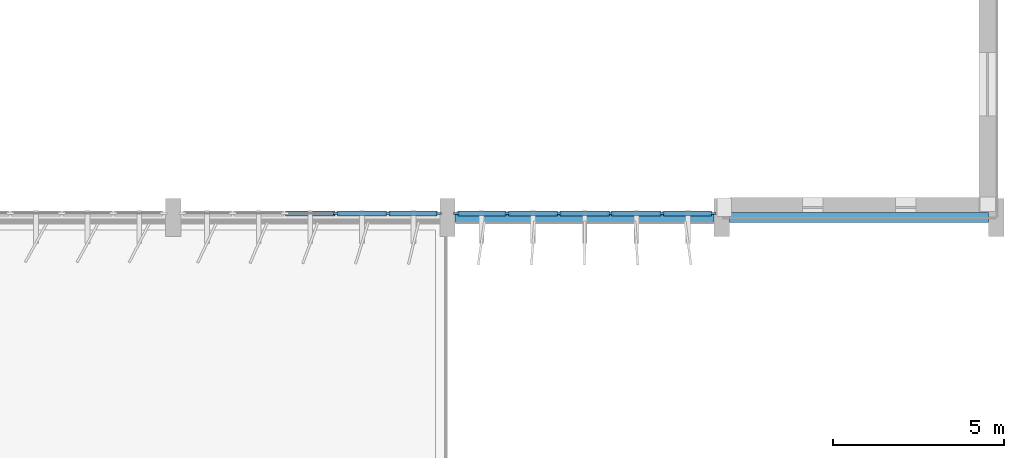
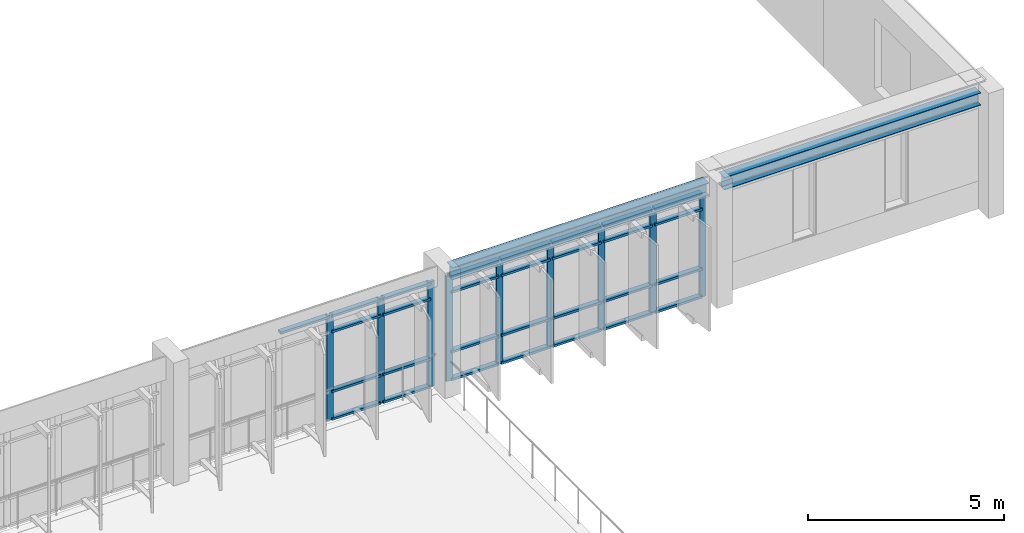
# One storey, part 19 of 45: 38 members, 2 beams, 2 elements without a shape of their own.
"""IFC4 building model written with IfcOpenShell, lengths in metres."""

from ifc_helpers import new_model, si_unit, direction, frame, origin, origin_2d, place, context, subcontext, project, spatial, rectangle, i_section, extrude, material, layer, layer_set, material_profile, profile_set, type_object, element, aggregate, save


model = new_model("IFC4")

# Units and contexts
model_context = context("Model", 3, precision=1e-05, world=origin(), true_north=direction((0.0, 1.0)))
body_context = subcontext(model_context, "Body", "Model", "MODEL_VIEW")
ifc_project = project(units=[si_unit("LENGTHUNIT", "METRE"), si_unit("AREAUNIT", "SQUARE_METRE"), si_unit("VOLUMEUNIT", "CUBIC_METRE"), si_unit("PLANEANGLEUNIT", "RADIAN"), si_unit("MASSUNIT", "GRAM", prefix="KILO")], contexts=[model_context])

# Site, building, storey
site_placement = place(None, origin())
site = spatial("IfcSite", under=ifc_project, at=site_placement, CompositionType="ELEMENT")
building_placement = place(site_placement, origin())
building = spatial("IfcBuilding", under=site, at=building_placement, Name="Valkorina Park Police Headquarters", CompositionType="ELEMENT")
storey_placement = place(building_placement, frame((0.0, 0.0, 23.300048828125)))
storey = spatial("IfcBuildingStorey", under=building, at=storey_placement, Name="L06", CompositionType="ELEMENT", Elevation=23.300048828125)

# Beams
ifc_material_1 = material(Name="Steel S355", Category="steel")
ifc_material_profile_1 = material_profile(ifc_material_1, i_section(OverallWidth=0.300048828125, OverallDepth=0.389892578125, WebThickness=0.010986328125, FlangeThickness=0.01904296875, FilletRadius=0.027099609375, at=origin_2d()), Name="HEA 400")
ifc_profile_set_1 = profile_set([ifc_material_profile_1], Name="Steel S355")
beam_type = type_object("IfcBeamType", Name="BM-S355-HEA400-SPN", PredefinedType="SPANDREL", material=ifc_profile_set_1)
for number, where, z_axis, x_axis, name in (
    (1, (113.02490234375, 59.199951171875, 3.48486328125), (1.0, 0.0, 0.0), (0.0, 1.0, 0.0), "L06 Framing Beam 2643"),
    (2, (121.02490234375, 59.199951171875, 3.48486328125), (1.0, 0.0, 0.0), (0.0, 1.0, 0.0), "L06 Framing Beam 2644"),
):
    element("IfcBeam", number, at=place(storey_placement, frame(where, z_axis=z_axis, x_axis=x_axis)), inside=storey, type_object=beam_type, Name=name, PredefinedType="SPANDREL", context=body_context, shape_type="SweptSolid", body=[
        extrude(i_section(OverallWidth=0.300048828125, OverallDepth=0.389892578125, WebThickness=0.010986328125, FlangeThickness=0.01904296875, FilletRadius=0.027099609375, at=origin_2d()), origin(), (0.0, 0.0, 1.0), 7.550048828125),
    ])

# Curtain wall, members
ifc_material_2 = material(Name="Thermally broken aluminium AW-6060", Category="aluminium")
ifc_layer = layer(ifc_material_2, 0.18994140625)
ifc_layer_set = layer_set([ifc_layer], Name="Thermally broken aluminium AW-6060")
curtain_wall_type = type_object("IfcCurtainWallType", Name="CW-V5-7530x3280", PredefinedType="NOTDEFINED", material=ifc_layer_set)
curtain_wall_1_placement = place(storey_placement, origin())
curtain_wall_1 = element("IfcCurtainWall", 3, at=curtain_wall_1_placement, inside=storey, type_object=curtain_wall_type, Name="L06 Unitised Curtain Wall 116", PredefinedType="NOTDEFINED")
ifc_material_profile_2 = material_profile(ifc_material_2, rectangle(XDim=0.070068359375, YDim=0.18994140625, at=origin_2d()), Name="CWM-02 70x190")
ifc_profile_set_2 = profile_set([ifc_material_profile_2], Name="Thermally broken aluminium AW-6060")
member_type_1 = type_object("IfcMemberType", Name="CWM-70x190", PredefinedType="MULLION", material=ifc_profile_set_2)
member_1_placement = place(storey_placement, frame((120.530029296875, 59.320068359375, 0.0), z_axis=(0.0, 0.0, 1.0), x_axis=(0.0, -1.0, 0.0)))
member_1 = element("IfcMember", 4, at=member_1_placement, type_object=member_type_1, Name="CW-V5-753-328 mullion 1", PredefinedType="MULLION", context=body_context, shape_type="SweptSolid", body=[
    extrude(rectangle(XDim=0.070068359375, YDim=0.18994140625, at=origin_2d()), origin(), (0.0, 0.0, 1.0), 3.280029296875),
])
member_2_placement = place(storey_placement, frame((119.05908203125, 59.320068359375, 0.0), z_axis=(0.0, 0.0, 1.0), x_axis=(0.0, -1.0, 0.0)))
member_2 = element("IfcMember", 5, at=member_2_placement, type_object=member_type_1, Name="CW-V5-753-328 mullion 2", PredefinedType="MULLION", context=body_context, shape_type="SweptSolid", body=[
    extrude(rectangle(XDim=0.070068359375, YDim=0.18994140625, at=origin_2d()), origin(), (0.0, 0.0, 1.0), 3.280029296875),
])
member_3_placement = place(storey_placement, frame((117.552978515625, 59.320068359375, 0.0), z_axis=(0.0, 0.0, 1.0), x_axis=(0.0, -1.0, 0.0)))
member_3 = element("IfcMember", 6, at=member_3_placement, type_object=member_type_1, Name="CW-V5-753-328 mullion 3", PredefinedType="MULLION", context=body_context, shape_type="SweptSolid", body=[
    extrude(rectangle(XDim=0.070068359375, YDim=0.18994140625, at=origin_2d()), origin(), (0.0, 0.0, 1.0), 3.280029296875),
])
member_4_placement = place(storey_placement, frame((116.047119140625, 59.320068359375, 0.0), z_axis=(0.0, 0.0, 1.0), x_axis=(0.0, -1.0, 0.0)))
member_4 = element("IfcMember", 7, at=member_4_placement, type_object=member_type_1, Name="CW-V5-753-328 mullion 4", PredefinedType="MULLION", context=body_context, shape_type="SweptSolid", body=[
    extrude(rectangle(XDim=0.070068359375, YDim=0.18994140625, at=origin_2d()), origin(), (0.0, 0.0, 1.0), 3.280029296875),
])
member_5_placement = place(storey_placement, frame((114.541015625, 59.320068359375, 0.0), z_axis=(0.0, 0.0, 1.0), x_axis=(0.0, -1.0, 0.0)))
member_5 = element("IfcMember", 8, at=member_5_placement, type_object=member_type_1, Name="CW-V5-753-328 mullion 5", PredefinedType="MULLION", context=body_context, shape_type="SweptSolid", body=[
    extrude(rectangle(XDim=0.070068359375, YDim=0.18994140625, at=origin_2d()), origin(), (0.0, 0.0, 1.0), 3.280029296875),
])
member_6_placement = place(storey_placement, frame((113.070068359375, 59.320068359375, 0.0), z_axis=(0.0, 0.0, 1.0), x_axis=(0.0, -1.0, 0.0)))
member_6 = element("IfcMember", 9, at=member_6_placement, type_object=member_type_1, Name="CW-V5-753-328 mullion 6", PredefinedType="MULLION", context=body_context, shape_type="SweptSolid", body=[
    extrude(rectangle(XDim=0.070068359375, YDim=0.18994140625, at=origin_2d()), origin(), (0.0, 0.0, 1.0), 3.280029296875),
])

curtain_wall_2_placement = place(storey_placement, origin())
curtain_wall_2 = element("IfcCurtainWall", 10, at=curtain_wall_2_placement, inside=storey, type_object=curtain_wall_type, Name="L06 Unitised Curtain Wall 117", PredefinedType="NOTDEFINED")
member_7_placement = place(storey_placement, frame((112.530029296875, 59.320068359375, 0.0), z_axis=(0.0, 0.0, 1.0), x_axis=(0.0, -1.0, 0.0)))
member_7 = element("IfcMember", 11, at=member_7_placement, type_object=member_type_1, Name="CW-V5-753-328 mullion 1", PredefinedType="MULLION", context=body_context, shape_type="SweptSolid", body=[
    extrude(rectangle(XDim=0.070068359375, YDim=0.18994140625, at=origin_2d()), origin(), (0.0, 0.0, 1.0), 3.280029296875),
])
member_8_placement = place(storey_placement, frame((111.05908203125, 59.320068359375, 0.0), z_axis=(0.0, 0.0, 1.0), x_axis=(0.0, -1.0, 0.0)))
member_8 = element("IfcMember", 12, at=member_8_placement, type_object=member_type_1, Name="CW-V5-753-328 mullion 2", PredefinedType="MULLION", context=body_context, shape_type="SweptSolid", body=[
    extrude(rectangle(XDim=0.070068359375, YDim=0.18994140625, at=origin_2d()), origin(), (0.0, 0.0, 1.0), 3.280029296875),
])
member_9_placement = place(storey_placement, frame((109.552978515625, 59.320068359375, 0.0), z_axis=(0.0, 0.0, 1.0), x_axis=(0.0, -1.0, 0.0)))
member_9 = element("IfcMember", 13, at=member_9_placement, type_object=member_type_1, Name="CW-V5-753-328 mullion 3", PredefinedType="MULLION", context=body_context, shape_type="SweptSolid", body=[
    extrude(rectangle(XDim=0.070068359375, YDim=0.18994140625, at=origin_2d()), origin(), (0.0, 0.0, 1.0), 3.280029296875),
])

# Member
ifc_material_profile_3 = material_profile(ifc_material_2, rectangle(XDim=0.14990234375, YDim=0.070068359375, at=origin_2d()), Name="CWT-02 150x70")
ifc_profile_set_3 = profile_set([ifc_material_profile_3], Name="Thermally broken aluminium AW-6060")
member_type_2 = type_object("IfcMemberType", Name="CWT-150x70", PredefinedType="USERDEFINED", material=ifc_profile_set_3)
member_10_placement = place(storey_placement, frame((120.4951171875, 59.320068359375, 0.034912109375), z_axis=(-1.0, 0.0, 0.0), x_axis=(0.0, -1.0, 0.0)))
member_10 = element("IfcMember", 14, at=member_10_placement, type_object=member_type_2, Name="CW-V5-753-328 transom 1.1", ObjectType="TRANSOM", PredefinedType="USERDEFINED", context=body_context, shape_type="SweptSolid", body=[
    extrude(rectangle(XDim=0.14990234375, YDim=0.070068359375, at=origin_2d()), origin(), (0.0, 0.0, 1.0), 1.401123046875),
])

member_11_placement = place(storey_placement, frame((120.4951171875, 59.320068359375, 0.89990234375), z_axis=(-1.0, 0.0, 0.0), x_axis=(0.0, -1.0, 0.0)))
member_11 = element("IfcMember", 15, at=member_11_placement, type_object=member_type_2, Name="CW-V5-753-328 transom 1.2", ObjectType="TRANSOM", PredefinedType="USERDEFINED", context=body_context, shape_type="SweptSolid", body=[
    extrude(rectangle(XDim=0.14990234375, YDim=0.070068359375, at=origin_2d()), origin(), (0.0, 0.0, 1.0), 1.401123046875),
])

member_12_placement = place(storey_placement, frame((120.4951171875, 59.320068359375, 2.760009765625), z_axis=(-1.0, 0.0, 0.0), x_axis=(0.0, -1.0, 0.0)))
member_12 = element("IfcMember", 16, at=member_12_placement, type_object=member_type_2, Name="CW-V5-753-328 transom 1.3", ObjectType="TRANSOM", PredefinedType="USERDEFINED", context=body_context, shape_type="SweptSolid", body=[
    extrude(rectangle(XDim=0.14990234375, YDim=0.070068359375, at=origin_2d()), origin(), (0.0, 0.0, 1.0), 1.401123046875),
])

member_13_placement = place(storey_placement, frame((120.4951171875, 59.320068359375, 3.244873046875), z_axis=(-1.0, 0.0, 0.0), x_axis=(0.0, -1.0, 0.0)))
member_13 = element("IfcMember", 17, at=member_13_placement, type_object=member_type_2, Name="CW-V5-753-328 transom 1.4", ObjectType="TRANSOM", PredefinedType="USERDEFINED", context=body_context, shape_type="SweptSolid", body=[
    extrude(rectangle(XDim=0.14990234375, YDim=0.070068359375, at=origin_2d()), origin(), (0.0, 0.0, 1.0), 1.401123046875),
])

member_14_placement = place(storey_placement, frame((119.02392578125, 59.320068359375, 0.034912109375), z_axis=(-1.0, 0.0, 0.0), x_axis=(0.0, -1.0, 0.0)))
member_14 = element("IfcMember", 18, at=member_14_placement, type_object=member_type_2, Name="CW-V5-753-328 transom 2.1", ObjectType="TRANSOM", PredefinedType="USERDEFINED", context=body_context, shape_type="SweptSolid", body=[
    extrude(rectangle(XDim=0.14990234375, YDim=0.070068359375, at=origin_2d()), origin(), (0.0, 0.0, 1.0), 1.43603515625),
])

member_15_placement = place(storey_placement, frame((119.02392578125, 59.320068359375, 0.89990234375), z_axis=(-1.0, 0.0, 0.0), x_axis=(0.0, -1.0, 0.0)))
member_15 = element("IfcMember", 19, at=member_15_placement, type_object=member_type_2, Name="CW-V5-753-328 transom 2.2", ObjectType="TRANSOM", PredefinedType="USERDEFINED", context=body_context, shape_type="SweptSolid", body=[
    extrude(rectangle(XDim=0.14990234375, YDim=0.070068359375, at=origin_2d()), origin(), (0.0, 0.0, 1.0), 1.43603515625),
])

member_16_placement = place(storey_placement, frame((119.02392578125, 59.320068359375, 2.760009765625), z_axis=(-1.0, 0.0, 0.0), x_axis=(0.0, -1.0, 0.0)))
member_16 = element("IfcMember", 20, at=member_16_placement, type_object=member_type_2, Name="CW-V5-753-328 transom 2.3", ObjectType="TRANSOM", PredefinedType="USERDEFINED", context=body_context, shape_type="SweptSolid", body=[
    extrude(rectangle(XDim=0.14990234375, YDim=0.070068359375, at=origin_2d()), origin(), (0.0, 0.0, 1.0), 1.43603515625),
])

member_17_placement = place(storey_placement, frame((119.02392578125, 59.320068359375, 3.244873046875), z_axis=(-1.0, 0.0, 0.0), x_axis=(0.0, -1.0, 0.0)))
member_17 = element("IfcMember", 21, at=member_17_placement, type_object=member_type_2, Name="CW-V5-753-328 transom 2.4", ObjectType="TRANSOM", PredefinedType="USERDEFINED", context=body_context, shape_type="SweptSolid", body=[
    extrude(rectangle(XDim=0.14990234375, YDim=0.070068359375, at=origin_2d()), origin(), (0.0, 0.0, 1.0), 1.43603515625),
])

member_18_placement = place(storey_placement, frame((117.51806640625, 59.320068359375, 0.034912109375), z_axis=(-1.0, 0.0, 0.0), x_axis=(0.0, -1.0, 0.0)))
member_18 = element("IfcMember", 22, at=member_18_placement, type_object=member_type_2, Name="CW-V5-753-328 transom 3.1", ObjectType="TRANSOM", PredefinedType="USERDEFINED", context=body_context, shape_type="SweptSolid", body=[
    extrude(rectangle(XDim=0.14990234375, YDim=0.070068359375, at=origin_2d()), origin(), (0.0, 0.0, 1.0), 1.43603515625),
])

member_19_placement = place(storey_placement, frame((117.51806640625, 59.320068359375, 0.89990234375), z_axis=(-1.0, 0.0, 0.0), x_axis=(0.0, -1.0, 0.0)))
member_19 = element("IfcMember", 23, at=member_19_placement, type_object=member_type_2, Name="CW-V5-753-328 transom 3.2", ObjectType="TRANSOM", PredefinedType="USERDEFINED", context=body_context, shape_type="SweptSolid", body=[
    extrude(rectangle(XDim=0.14990234375, YDim=0.070068359375, at=origin_2d()), origin(), (0.0, 0.0, 1.0), 1.43603515625),
])

member_20_placement = place(storey_placement, frame((117.51806640625, 59.320068359375, 2.760009765625), z_axis=(-1.0, 0.0, 0.0), x_axis=(0.0, -1.0, 0.0)))
member_20 = element("IfcMember", 24, at=member_20_placement, type_object=member_type_2, Name="CW-V5-753-328 transom 3.3", ObjectType="TRANSOM", PredefinedType="USERDEFINED", context=body_context, shape_type="SweptSolid", body=[
    extrude(rectangle(XDim=0.14990234375, YDim=0.070068359375, at=origin_2d()), origin(), (0.0, 0.0, 1.0), 1.43603515625),
])

member_21_placement = place(storey_placement, frame((117.51806640625, 59.320068359375, 3.244873046875), z_axis=(-1.0, 0.0, 0.0), x_axis=(0.0, -1.0, 0.0)))
member_21 = element("IfcMember", 25, at=member_21_placement, type_object=member_type_2, Name="CW-V5-753-328 transom 3.4", ObjectType="TRANSOM", PredefinedType="USERDEFINED", context=body_context, shape_type="SweptSolid", body=[
    extrude(rectangle(XDim=0.14990234375, YDim=0.070068359375, at=origin_2d()), origin(), (0.0, 0.0, 1.0), 1.43603515625),
])

member_22_placement = place(storey_placement, frame((116.011962890625, 59.320068359375, 0.034912109375), z_axis=(-1.0, 0.0, 0.0), x_axis=(0.0, -1.0, 0.0)))
member_22 = element("IfcMember", 26, at=member_22_placement, type_object=member_type_2, Name="CW-V5-753-328 transom 4.1", ObjectType="TRANSOM", PredefinedType="USERDEFINED", context=body_context, shape_type="SweptSolid", body=[
    extrude(rectangle(XDim=0.14990234375, YDim=0.070068359375, at=origin_2d()), origin(), (0.0, 0.0, 1.0), 1.43603515625),
])

member_23_placement = place(storey_placement, frame((116.011962890625, 59.320068359375, 0.89990234375), z_axis=(-1.0, 0.0, 0.0), x_axis=(0.0, -1.0, 0.0)))
member_23 = element("IfcMember", 27, at=member_23_placement, type_object=member_type_2, Name="CW-V5-753-328 transom 4.2", ObjectType="TRANSOM", PredefinedType="USERDEFINED", context=body_context, shape_type="SweptSolid", body=[
    extrude(rectangle(XDim=0.14990234375, YDim=0.070068359375, at=origin_2d()), origin(), (0.0, 0.0, 1.0), 1.43603515625),
])

member_24_placement = place(storey_placement, frame((116.011962890625, 59.320068359375, 2.760009765625), z_axis=(-1.0, 0.0, 0.0), x_axis=(0.0, -1.0, 0.0)))
member_24 = element("IfcMember", 28, at=member_24_placement, type_object=member_type_2, Name="CW-V5-753-328 transom 4.3", ObjectType="TRANSOM", PredefinedType="USERDEFINED", context=body_context, shape_type="SweptSolid", body=[
    extrude(rectangle(XDim=0.14990234375, YDim=0.070068359375, at=origin_2d()), origin(), (0.0, 0.0, 1.0), 1.43603515625),
])

member_25_placement = place(storey_placement, frame((116.011962890625, 59.320068359375, 3.244873046875), z_axis=(-1.0, 0.0, 0.0), x_axis=(0.0, -1.0, 0.0)))
member_25 = element("IfcMember", 29, at=member_25_placement, type_object=member_type_2, Name="CW-V5-753-328 transom 4.4", ObjectType="TRANSOM", PredefinedType="USERDEFINED", context=body_context, shape_type="SweptSolid", body=[
    extrude(rectangle(XDim=0.14990234375, YDim=0.070068359375, at=origin_2d()), origin(), (0.0, 0.0, 1.0), 1.43603515625),
])

member_26_placement = place(storey_placement, frame((114.506103515625, 59.320068359375, 0.034912109375), z_axis=(-1.0, 0.0, 0.0), x_axis=(0.0, -1.0, 0.0)))
member_26 = element("IfcMember", 30, at=member_26_placement, type_object=member_type_2, Name="CW-V5-753-328 transom 5.1", ObjectType="TRANSOM", PredefinedType="USERDEFINED", context=body_context, shape_type="SweptSolid", body=[
    extrude(rectangle(XDim=0.14990234375, YDim=0.070068359375, at=origin_2d()), origin(), (0.0, 0.0, 1.0), 1.401123046875),
])

member_27_placement = place(storey_placement, frame((114.506103515625, 59.320068359375, 0.89990234375), z_axis=(-1.0, 0.0, 0.0), x_axis=(0.0, -1.0, 0.0)))
member_27 = element("IfcMember", 31, at=member_27_placement, type_object=member_type_2, Name="CW-V5-753-328 transom 5.2", ObjectType="TRANSOM", PredefinedType="USERDEFINED", context=body_context, shape_type="SweptSolid", body=[
    extrude(rectangle(XDim=0.14990234375, YDim=0.070068359375, at=origin_2d()), origin(), (0.0, 0.0, 1.0), 1.401123046875),
])

member_28_placement = place(storey_placement, frame((114.506103515625, 59.320068359375, 2.760009765625), z_axis=(-1.0, 0.0, 0.0), x_axis=(0.0, -1.0, 0.0)))
member_28 = element("IfcMember", 32, at=member_28_placement, type_object=member_type_2, Name="CW-V5-753-328 transom 5.3", ObjectType="TRANSOM", PredefinedType="USERDEFINED", context=body_context, shape_type="SweptSolid", body=[
    extrude(rectangle(XDim=0.14990234375, YDim=0.070068359375, at=origin_2d()), origin(), (0.0, 0.0, 1.0), 1.401123046875),
])

member_29_placement = place(storey_placement, frame((114.506103515625, 59.320068359375, 3.244873046875), z_axis=(-1.0, 0.0, 0.0), x_axis=(0.0, -1.0, 0.0)))
member_29 = element("IfcMember", 33, at=member_29_placement, type_object=member_type_2, Name="CW-V5-753-328 transom 5.4", ObjectType="TRANSOM", PredefinedType="USERDEFINED", context=body_context, shape_type="SweptSolid", body=[
    extrude(rectangle(XDim=0.14990234375, YDim=0.070068359375, at=origin_2d()), origin(), (0.0, 0.0, 1.0), 1.401123046875),
])

aggregate(curtain_wall_1, [member_1, member_2, member_3, member_4, member_5, member_6, member_10, member_11, member_12, member_13, member_14, member_15, member_16, member_17, member_18, member_19, member_20, member_21, member_22, member_23, member_24, member_25, member_26, member_27, member_28, member_29])

member_30_placement = place(storey_placement, frame((112.4951171875, 59.320068359375, 0.034912109375), z_axis=(-1.0, 0.0, 0.0), x_axis=(0.0, -1.0, 0.0)))
member_30 = element("IfcMember", 34, at=member_30_placement, type_object=member_type_2, Name="CW-V5-753-328 transom 1.1", ObjectType="TRANSOM", PredefinedType="USERDEFINED", context=body_context, shape_type="SweptSolid", body=[
    extrude(rectangle(XDim=0.14990234375, YDim=0.070068359375, at=origin_2d()), origin(), (0.0, 0.0, 1.0), 1.401123046875),
])

member_31_placement = place(storey_placement, frame((112.4951171875, 59.320068359375, 0.89990234375), z_axis=(-1.0, 0.0, 0.0), x_axis=(0.0, -1.0, 0.0)))
member_31 = element("IfcMember", 35, at=member_31_placement, type_object=member_type_2, Name="CW-V5-753-328 transom 1.2", ObjectType="TRANSOM", PredefinedType="USERDEFINED", context=body_context, shape_type="SweptSolid", body=[
    extrude(rectangle(XDim=0.14990234375, YDim=0.070068359375, at=origin_2d()), origin(), (0.0, 0.0, 1.0), 1.401123046875),
])

member_32_placement = place(storey_placement, frame((112.4951171875, 59.320068359375, 2.760009765625), z_axis=(-1.0, 0.0, 0.0), x_axis=(0.0, -1.0, 0.0)))
member_32 = element("IfcMember", 36, at=member_32_placement, type_object=member_type_2, Name="CW-V5-753-328 transom 1.3", ObjectType="TRANSOM", PredefinedType="USERDEFINED", context=body_context, shape_type="SweptSolid", body=[
    extrude(rectangle(XDim=0.14990234375, YDim=0.070068359375, at=origin_2d()), origin(), (0.0, 0.0, 1.0), 1.401123046875),
])

member_33_placement = place(storey_placement, frame((112.4951171875, 59.320068359375, 3.244873046875), z_axis=(-1.0, 0.0, 0.0), x_axis=(0.0, -1.0, 0.0)))
member_33 = element("IfcMember", 37, at=member_33_placement, type_object=member_type_2, Name="CW-V5-753-328 transom 1.4", ObjectType="TRANSOM", PredefinedType="USERDEFINED", context=body_context, shape_type="SweptSolid", body=[
    extrude(rectangle(XDim=0.14990234375, YDim=0.070068359375, at=origin_2d()), origin(), (0.0, 0.0, 1.0), 1.401123046875),
])

member_34_placement = place(storey_placement, frame((111.02392578125, 59.320068359375, 0.034912109375), z_axis=(-1.0, 0.0, 0.0), x_axis=(0.0, -1.0, 0.0)))
member_34 = element("IfcMember", 38, at=member_34_placement, type_object=member_type_2, Name="CW-V5-753-328 transom 2.1", ObjectType="TRANSOM", PredefinedType="USERDEFINED", context=body_context, shape_type="SweptSolid", body=[
    extrude(rectangle(XDim=0.14990234375, YDim=0.070068359375, at=origin_2d()), origin(), (0.0, 0.0, 1.0), 1.43603515625),
])

member_35_placement = place(storey_placement, frame((111.02392578125, 59.320068359375, 0.89990234375), z_axis=(-1.0, 0.0, 0.0), x_axis=(0.0, -1.0, 0.0)))
member_35 = element("IfcMember", 39, at=member_35_placement, type_object=member_type_2, Name="CW-V5-753-328 transom 2.2", ObjectType="TRANSOM", PredefinedType="USERDEFINED", context=body_context, shape_type="SweptSolid", body=[
    extrude(rectangle(XDim=0.14990234375, YDim=0.070068359375, at=origin_2d()), origin(), (0.0, 0.0, 1.0), 1.43603515625),
])

member_36_placement = place(storey_placement, frame((111.02392578125, 59.320068359375, 2.760009765625), z_axis=(-1.0, 0.0, 0.0), x_axis=(0.0, -1.0, 0.0)))
member_36 = element("IfcMember", 40, at=member_36_placement, type_object=member_type_2, Name="CW-V5-753-328 transom 2.3", ObjectType="TRANSOM", PredefinedType="USERDEFINED", context=body_context, shape_type="SweptSolid", body=[
    extrude(rectangle(XDim=0.14990234375, YDim=0.070068359375, at=origin_2d()), origin(), (0.0, 0.0, 1.0), 1.43603515625),
])

member_37_placement = place(storey_placement, frame((111.02392578125, 59.320068359375, 3.244873046875), z_axis=(-1.0, 0.0, 0.0), x_axis=(0.0, -1.0, 0.0)))
member_37 = element("IfcMember", 41, at=member_37_placement, type_object=member_type_2, Name="CW-V5-753-328 transom 2.4", ObjectType="TRANSOM", PredefinedType="USERDEFINED", context=body_context, shape_type="SweptSolid", body=[
    extrude(rectangle(XDim=0.14990234375, YDim=0.070068359375, at=origin_2d()), origin(), (0.0, 0.0, 1.0), 1.43603515625),
])

member_38_placement = place(storey_placement, frame((109.51806640625, 59.320068359375, 3.244873046875), z_axis=(-1.0, 0.0, 0.0), x_axis=(0.0, -1.0, 0.0)))
member_38 = element("IfcMember", 42, at=member_38_placement, type_object=member_type_2, Name="CW-V5-753-328 transom 3.4", ObjectType="TRANSOM", PredefinedType="USERDEFINED", context=body_context, shape_type="SweptSolid", body=[
    extrude(rectangle(XDim=0.14990234375, YDim=0.070068359375, at=origin_2d()), origin(), (0.0, 0.0, 1.0), 1.43603515625),
])

aggregate(curtain_wall_2, [member_7, member_8, member_9, member_30, member_31, member_32, member_33, member_34, member_35, member_36, member_37, member_38])

save(model, "model.ifc")
